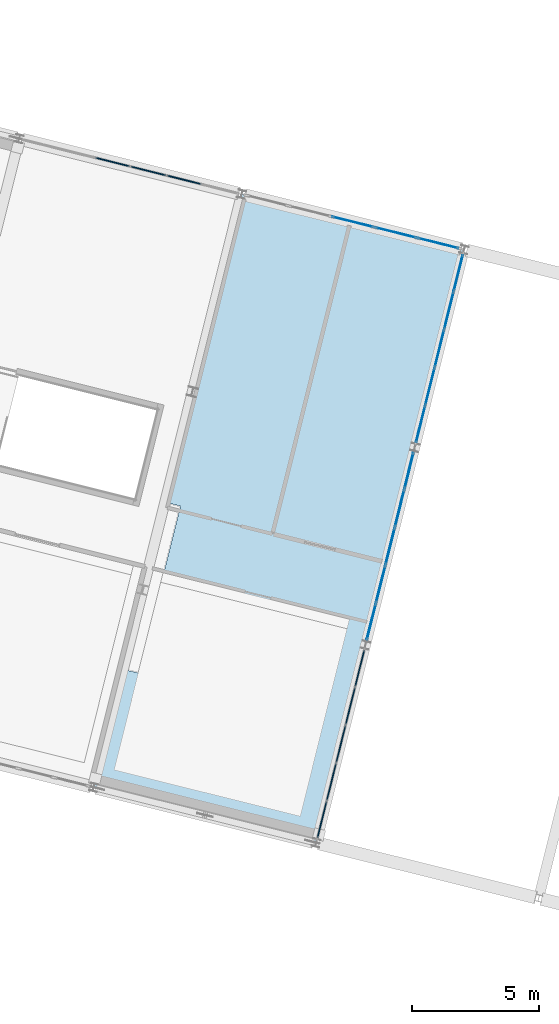
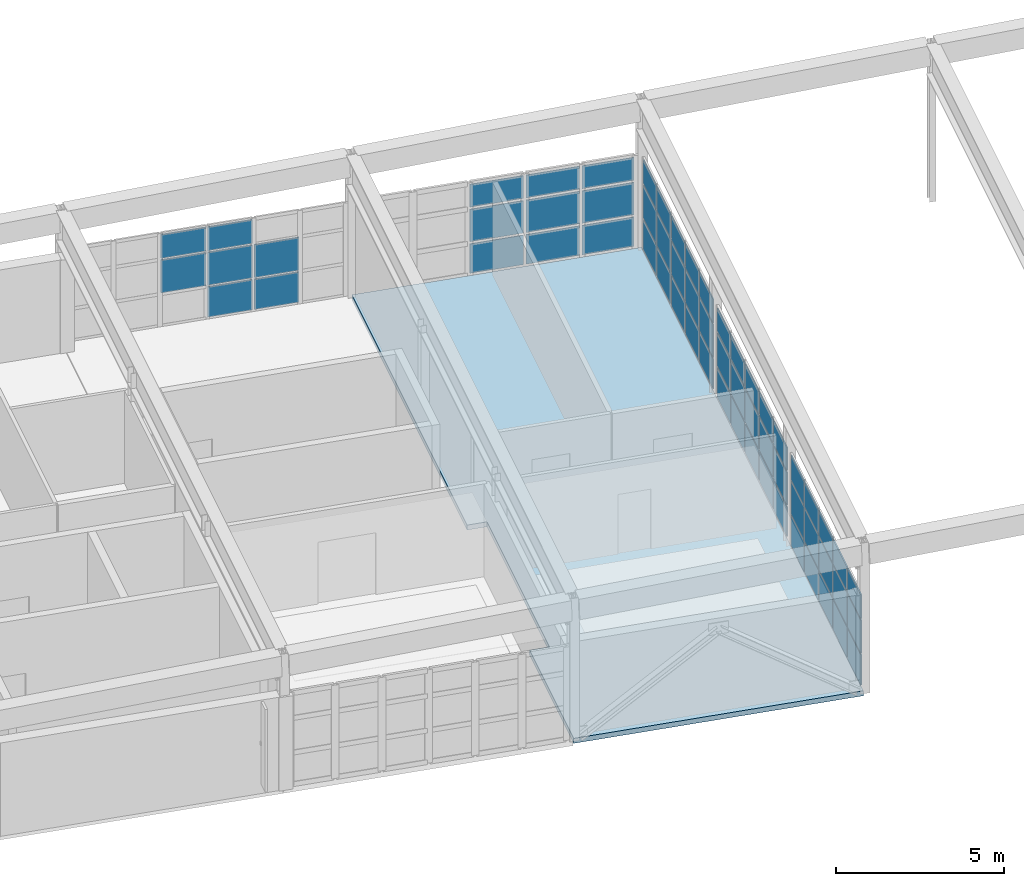
# One storey, part 20 of 27: 61 plates, 1 slab, 5 elements without a shape of their own.
"""IFC4 building model written with IfcOpenShell, lengths in metres."""

import ifcopenshell
import ifcopenshell.guid

model = None  # the IFC model being written
_history = None  # IfcOwnerHistory: only IFC2X3 demands one
_inside = {}  # id of a spatial element -> (the spatial element, [elements in it])
_under = {}  # id of a project, library or spatial element -> (it, [spatial elements below it])
_declared = {}  # id of a project -> (the project, [libraries it declares])
_typed = {}  # id of a type object -> (the type object, [elements of that type])
_made_of = {}  # id of a material, layer set ... -> (it, [elements and type objects made of it])


def new_model(schema):
    """Start an empty IFC model of exactly this schema.

    Asked for "IFC4X3", IfcOpenShell would pick the latest addendum, in which some entities
    have other attributes; the version numbers below select the first issue.
    IFC2X3 requires an IfcOwnerHistory on every rooted entity: one is made here for all.
    """
    global model, _history
    if schema == "IFC4X3":
        model = ifcopenshell.file(schema_version=(4, 3, 0, 0))
    else:
        model = ifcopenshell.file(schema=schema)
    _inside.clear()
    _under.clear()
    _declared.clear()
    _typed.clear()
    _made_of.clear()
    _history = None
    if model.schema == "IFC2X3":
        org = make("IfcOrganization", Name="unknown")
        user = make(
            "IfcPersonAndOrganization",
            ThePerson=make("IfcPerson", FamilyName="unknown"),
            TheOrganization=org,
        )
        app = make(
            "IfcApplication",
            ApplicationDeveloper=org,
            Version="unknown",
            ApplicationFullName="unknown",
            ApplicationIdentifier="unknown",
        )
        _history = make(
            "IfcOwnerHistory",
            OwningUser=user,
            OwningApplication=app,
            ChangeAction="ADDED",
            CreationDate=0,
        )
    return model


def make(cls, **values):
    """One entity of the class cls with the attributes given. An attribute that is None is left unset."""
    return model.create_entity(
        cls, **{name: value for name, value in values.items() if value is not None}
    )


def rooted(cls, **values):
    """An entity with a GlobalId (a new one), such as an element, a storey or a relation."""
    return make(cls, GlobalId=ifcopenshell.guid.new(), OwnerHistory=_history, **values)


def si_unit(unit_type, name, prefix=None):
    """IfcSIUnit, for example si_unit("LENGTHUNIT", "METRE", prefix="MILLI")."""
    return make("IfcSIUnit", UnitType=unit_type, Prefix=prefix, Name=name)


def assignment(units):
    """IfcUnitAssignment: the units of a project."""
    return None if units is None else make("IfcUnitAssignment", Units=units)


def point(xyz):
    """IfcCartesianPoint."""
    return None if xyz is None else make("IfcCartesianPoint", Coordinates=xyz)


def direction(xyz):
    """IfcDirection."""
    return None if xyz is None else make("IfcDirection", DirectionRatios=xyz)


def frame(location, z_axis=None, x_axis=None):
    """IfcAxis2Placement3D, a coordinate frame: its origin and axes. An axis left out is left unset."""
    return make(
        "IfcAxis2Placement3D",
        Location=point(location),
        Axis=direction(z_axis),
        RefDirection=direction(x_axis),
    )


def frame_2d(location, x_axis=None):
    """IfcAxis2Placement2D, a coordinate frame in the plane: its origin and x axis."""
    return make(
        "IfcAxis2Placement2D", Location=point(location), RefDirection=direction(x_axis)
    )


def origin():
    """The frame at (0, 0, 0) with its axes left unset."""
    return frame((0.0, 0.0, 0.0))


def origin_2d():
    """The frame at (0, 0) in the plane with its x axis left unset."""
    return frame_2d((0.0, 0.0))


def place(relative_to, where):
    """IfcLocalPlacement: puts the frame where relative to a parent placement (None: the world)."""
    return make(
        "IfcLocalPlacement", PlacementRelTo=relative_to, RelativePlacement=where
    )


def context(
    kind, dimensions, precision=None, world=None, true_north=None, identifier=None
):
    """IfcGeometricRepresentationContext, for example the 3D "Model" context."""
    return make(
        "IfcGeometricRepresentationContext",
        ContextIdentifier=identifier,
        ContextType=kind,
        CoordinateSpaceDimension=dimensions,
        Precision=precision,
        WorldCoordinateSystem=world,
        TrueNorth=true_north,
    )


def subcontext(parent, identifier, kind, view, scale=None):
    """IfcGeometricRepresentationSubContext, for example "Body" below "Model"."""
    return make(
        "IfcGeometricRepresentationSubContext",
        ContextIdentifier=identifier,
        ContextType=kind,
        ParentContext=parent,
        TargetScale=scale,
        TargetView=view,
    )


def project(units=None, contexts=None):
    """IfcProject with its units and contexts."""
    return rooted(
        "IfcProject",
        Name="project",
        RepresentationContexts=contexts,
        UnitsInContext=assignment(units),
    )


def spatial(cls, under=None, at=None, **own):
    """A site, building, storey or space (cls), placed at a placement, below another one or the project."""
    s = rooted(cls, ObjectPlacement=at, **own)
    if under is not None:
        _under.setdefault(under.id(), (under, []))[1].append(s)
    return s


def polyline(points):
    """IfcPolyline through the points."""
    return make("IfcPolyline", Points=[point(p) for p in points])


def profile(cls, at=None, kind="AREA", **sizes):
    """A parametric profile (cls). Its sizes go by their IFC names, for example OverallWidth=200.0."""
    return make(cls, ProfileType=kind, Position=at, **sizes)


def rectangle(**sizes):
    """IfcRectangleProfileDef."""
    return profile("IfcRectangleProfileDef", **sizes)


def outline(outer, holes=None, kind="AREA"):
    """IfcArbitraryClosedProfileDef: a profile drawn as a closed curve; with holes, ...WithVoids."""
    if holes is None:
        return make("IfcArbitraryClosedProfileDef", ProfileType=kind, OuterCurve=outer)
    return make(
        "IfcArbitraryProfileDefWithVoids",
        ProfileType=kind,
        OuterCurve=outer,
        InnerCurves=holes,
    )


def extrude(swept, where, along, depth):
    """IfcExtrudedAreaSolid: the profile swept, set in the frame where, extruded along a direction by depth."""
    return make(
        "IfcExtrudedAreaSolid",
        SweptArea=swept,
        Position=where,
        ExtrudedDirection=direction(along),
        Depth=depth,
    )


def shape(context_of_items, identifier, shape_type, items):
    """IfcShapeRepresentation: the items that make up one representation, for example the "Body"."""
    return make(
        "IfcShapeRepresentation",
        ContextOfItems=context_of_items,
        RepresentationIdentifier=identifier,
        RepresentationType=shape_type,
        Items=items,
    )


def material(Name=None, Category=None):
    """IfcMaterial."""
    return make("IfcMaterial", Name=Name, Category=Category)


def layer(
    of_material, thickness, ventilated=None, Name=None, Category=None, Priority=None
):
    """IfcMaterialLayer: one layer of a wall or slab, of a material (None: an air gap)."""
    return make(
        "IfcMaterialLayer",
        Material=of_material,
        LayerThickness=thickness,
        IsVentilated=ventilated,
        Name=Name,
        Category=Category,
        Priority=Priority,
    )


def layer_set(layers, Name=None):
    """IfcMaterialLayerSet."""
    return make("IfcMaterialLayerSet", MaterialLayers=layers, LayerSetName=Name)


def made_of(thing, what):
    """Note that an element or type object is made of a material, layer set ...; save() writes the relation."""
    if what is not None:
        _made_of.setdefault(what.id(), (what, []))[1].append(thing)
    return thing


def type_object(cls, material=None, **own):
    """A type object (cls), such as IfcWallType, which elements share."""
    return made_of(rooted(cls, **own), material)


def element(
    cls,
    number,
    at=None,
    inside=None,
    cuts=None,
    type_object=None,
    material=None,
    context=None,
    identifier="Body",
    shape_type=None,
    held_by="IfcProductDefinitionShape",
    body=None,
    shapes=None,
    **own,
):
    """One element of the class cls, such as IfcWall. Its Tag is "e" and its number.

    at: its placement. inside: the storey or other place that contains it. cuts: it is an
    opening in that element (IfcRelVoidsElement). A single representation is given by context,
    identifier, shape_type and body (its items); several are given by shapes. held_by: the class
    of the entity that holds the representations. save() writes the other relations.
    """
    e = rooted(cls, Tag="e%d" % number, ObjectPlacement=at, **own)
    if body is not None:
        shapes = [shape(context, identifier, shape_type, body)]
    if shapes is not None:
        e.Representation = make(held_by, Representations=shapes)
    if inside is not None:
        _inside.setdefault(inside.id(), (inside, []))[1].append(e)
    if cuts is not None:
        rooted(
            "IfcRelVoidsElement", RelatingBuildingElement=cuts, RelatedOpeningElement=e
        )
    if type_object is not None:
        _typed.setdefault(type_object.id(), (type_object, []))[1].append(e)
    return made_of(e, material)


def aggregate(whole, parts):
    """IfcRelAggregates: a whole, such as a stair, and the parts it consists of."""
    return rooted("IfcRelAggregates", RelatingObject=whole, RelatedObjects=parts)


def save(model, path):
    """Write the relations noted so far, then the file.

    IfcRelAggregates (storeys below a building ...), IfcRelContainedInSpatialStructure (elements
    in a storey), IfcRelDefinesByType, IfcRelAssociatesMaterial and IfcRelDeclares: one each for
    every whole, place, type object, material and project.
    """
    for whole, parts in _under.values():
        aggregate(whole, parts)
    for where, things in _inside.values():
        rooted(
            "IfcRelContainedInSpatialStructure",
            RelatedElements=things,
            RelatingStructure=where,
        )
    for kind, things in _typed.values():
        rooted("IfcRelDefinesByType", RelatedObjects=things, RelatingType=kind)
    for what, things in _made_of.values():
        rooted("IfcRelAssociatesMaterial", RelatedObjects=things, RelatingMaterial=what)
    for by, libraries in _declared.values():
        rooted("IfcRelDeclares", RelatingContext=by, RelatedDefinitions=libraries)
    model.write(path)


model = new_model("IFC4")

# Units and contexts
model_context = context("Model", 3, precision=1e-05, world=origin(), true_north=direction((0.0, 1.0)))
body_context = subcontext(model_context, "Body", "Model", "MODEL_VIEW")
ifc_project = project(units=[si_unit("LENGTHUNIT", "METRE"), si_unit("AREAUNIT", "SQUARE_METRE"), si_unit("VOLUMEUNIT", "CUBIC_METRE"), si_unit("PLANEANGLEUNIT", "RADIAN"), si_unit("MASSUNIT", "GRAM", prefix="KILO")], contexts=[model_context])

# Site, building, storey
site_placement = place(None, origin())
site = spatial("IfcSite", under=ifc_project, at=site_placement, CompositionType="ELEMENT")
building_placement = place(site_placement, origin())
building = spatial("IfcBuilding", under=site, at=building_placement, Name="Vireo Bluff Cable Station", CompositionType="ELEMENT")
storey_placement = place(building_placement, frame((0.0, 0.0, 19.199951171875)))
storey = spatial("IfcBuildingStorey", under=building, at=storey_placement, Name="L04", CompositionType="ELEMENT", Elevation=19.199951171875)

# Curtain wall, plates
ifc_material_1 = material(Name="Anodized Aluminium 6063-T6", Category="aluminium")
ifc_layer_1 = layer(ifc_material_1, 0.179931640625, Name="Anodized Aluminium 6063-T6")
ifc_layer_set_1 = layer_set([ifc_layer_1], Name="Anodized Aluminium 6063-T6")
curtain_wall_type_1 = type_object("IfcCurtainWallType", Name="CW-UNIT-1650", PredefinedType="USERDEFINED", material=ifc_layer_set_1)
curtain_wall_1_placement = place(storey_placement, origin())
curtain_wall_1 = element("IfcCurtainWall", 1, at=curtain_wall_1_placement, inside=storey, type_object=curtain_wall_type_1, Name="V1 L04 north curtain wall CW-035", ObjectType="UNITISED CURTAIN WALL", PredefinedType="USERDEFINED")
ifc_material_2 = material(Name="Laminated Low-E Insulated Glass", Category="glass")
ifc_layer_2 = layer(ifc_material_2, 0.028076171875, Name="Laminated Low-E Insulated Glass")
ifc_layer_set_2 = layer_set([ifc_layer_2], Name="Laminated Low-E Insulated Glass")
plate_type_1 = type_object("IfcPlateType", Name="CWP-28-1", PredefinedType="CURTAIN_PANEL", material=ifc_layer_set_2)
plate_1_placement = place(storey_placement, frame((81.6376953125, 55.84375, 0.080078125), z_axis=(0.0, 0.0, 1.0), x_axis=(0.970295730477, -0.241921878749, 0.0)))
plate_1 = element("IfcPlate", 2, at=plate_1_placement, type_object=plate_type_1, Name="CW-035 panel 3.1", PredefinedType="CURTAIN_PANEL", context=body_context, shape_type="SweptSolid", body=[
    extrude(rectangle(XDim=1.658203125, YDim=0.028076171875, at=origin_2d()), origin(), (0.0, 0.0, 1.0), 1.070068359375),
])
plate_2_placement = place(storey_placement, frame((81.6376953125, 55.84375, 1.22998046875), z_axis=(0.0, 0.0, 1.0), x_axis=(0.970295730477, -0.241921878749, 0.0)))
plate_2 = element("IfcPlate", 3, at=plate_2_placement, type_object=plate_type_1, Name="CW-035 panel 3.2", PredefinedType="CURTAIN_PANEL", context=body_context, shape_type="SweptSolid", body=[
    extrude(rectangle(XDim=1.658203125, YDim=0.028076171875, at=origin_2d()), origin(), (0.0, 0.0, 1.0), 1.177978515625),
])
plate_3_placement = place(storey_placement, frame((81.6376953125, 55.84375, 2.488037109375), z_axis=(0.0, 0.0, 1.0), x_axis=(0.970295730477, -0.241921878749, 0.0)))
plate_3 = element("IfcPlate", 4, at=plate_3_placement, type_object=plate_type_1, Name="CW-035 panel 3.3", PredefinedType="CURTAIN_PANEL", context=body_context, shape_type="SweptSolid", body=[
    extrude(rectangle(XDim=1.658203125, YDim=0.028076171875, at=origin_2d()), origin(), (0.0, 0.0, 1.0), 0.83203125),
])
plate_4_placement = place(storey_placement, frame((83.324462890625, 55.42333984375, 0.080078125), z_axis=(0.0, 0.0, 1.0), x_axis=(0.970295730477, -0.241921878749, 0.0)))
plate_4 = element("IfcPlate", 5, at=plate_4_placement, type_object=plate_type_1, Name="CW-035 panel 4.1", PredefinedType="CURTAIN_PANEL", context=body_context, shape_type="SweptSolid", body=[
    extrude(rectangle(XDim=1.658203125, YDim=0.028076171875, at=origin_2d()), origin(), (0.0, 0.0, 1.0), 1.070068359375),
])
plate_5_placement = place(storey_placement, frame((83.324462890625, 55.42333984375, 1.22998046875), z_axis=(0.0, 0.0, 1.0), x_axis=(0.970295730477, -0.241921878749, 0.0)))
plate_5 = element("IfcPlate", 6, at=plate_5_placement, type_object=plate_type_1, Name="CW-035 panel 4.2", PredefinedType="CURTAIN_PANEL", context=body_context, shape_type="SweptSolid", body=[
    extrude(rectangle(XDim=1.658203125, YDim=0.028076171875, at=origin_2d()), origin(), (0.0, 0.0, 1.0), 1.177978515625),
])
plate_6_placement = place(storey_placement, frame((83.324462890625, 55.42333984375, 2.488037109375), z_axis=(0.0, 0.0, 1.0), x_axis=(0.970295730477, -0.241921878749, 0.0)))
plate_6 = element("IfcPlate", 7, at=plate_6_placement, type_object=plate_type_1, Name="CW-035 panel 4.3", PredefinedType="CURTAIN_PANEL", context=body_context, shape_type="SweptSolid", body=[
    extrude(rectangle(XDim=1.658203125, YDim=0.028076171875, at=origin_2d()), origin(), (0.0, 0.0, 1.0), 0.83203125),
])
plate_7_placement = place(storey_placement, frame((84.991455078125, 55.007568359375, 0.080078125), z_axis=(0.0, 0.0, 1.0), x_axis=(0.970295730477, -0.241921878749, 0.0)))
plate_7 = element("IfcPlate", 8, at=plate_7_placement, type_object=plate_type_1, Name="CW-035 panel 5.1", PredefinedType="CURTAIN_PANEL", context=body_context, shape_type="SweptSolid", body=[
    extrude(rectangle(XDim=1.6181640625, YDim=0.028076171875, at=origin_2d()), origin(), (0.0, 0.0, 1.0), 1.070068359375),
])
plate_8_placement = place(storey_placement, frame((84.991455078125, 55.007568359375, 1.22998046875), z_axis=(0.0, 0.0, 1.0), x_axis=(0.970295730477, -0.241921878749, 0.0)))
plate_8 = element("IfcPlate", 9, at=plate_8_placement, type_object=plate_type_1, Name="CW-035 panel 5.2", PredefinedType="CURTAIN_PANEL", context=body_context, shape_type="SweptSolid", body=[
    extrude(rectangle(XDim=1.6181640625, YDim=0.028076171875, at=origin_2d()), origin(), (0.0, 0.0, 1.0), 1.177978515625),
])
plate_9_placement = place(storey_placement, frame((84.991455078125, 55.007568359375, 2.488037109375), z_axis=(0.0, 0.0, 1.0), x_axis=(0.970295730477, -0.241921878749, 0.0)))
plate_9 = element("IfcPlate", 10, at=plate_9_placement, type_object=plate_type_1, Name="CW-035 panel 5.3", PredefinedType="CURTAIN_PANEL", context=body_context, shape_type="SweptSolid", body=[
    extrude(rectangle(XDim=1.6181640625, YDim=0.028076171875, at=origin_2d()), origin(), (0.0, 0.0, 1.0), 0.83203125),
])
aggregate(curtain_wall_1, [plate_1, plate_2, plate_3, plate_4, plate_5, plate_6, plate_7, plate_8, plate_9])

ifc_layer_3 = layer(ifc_material_1, 0.179931640625, Name="Anodized Aluminium 6063-T6")
ifc_layer_set_3 = layer_set([ifc_layer_3], Name="Anodized Aluminium 6063-T6")
curtain_wall_type_2 = type_object("IfcCurtainWallType", Name="CW-UNIT-1400", PredefinedType="USERDEFINED", material=ifc_layer_set_3)
curtain_wall_2_placement = place(storey_placement, origin())
curtain_wall_2 = element("IfcCurtainWall", 11, at=curtain_wall_2_placement, inside=storey, type_object=curtain_wall_type_2, Name="V1 L04 east curtain wall CW-036", ObjectType="UNITISED CURTAIN WALL", PredefinedType="USERDEFINED")
ifc_layer_4 = layer(ifc_material_2, 0.031982421875, Name="Laminated Low-E Insulated Glass")
ifc_layer_set_4 = layer_set([ifc_layer_4], Name="Laminated Low-E Insulated Glass")
plate_type_2 = type_object("IfcPlateType", Name="CWP-32-2", PredefinedType="CURTAIN_PANEL", material=ifc_layer_set_4)
plate_10_placement = place(storey_placement, frame((85.776611328125, 53.842529296875, 0.06494140625), z_axis=(0.0, 0.0, 1.0), x_axis=(-0.241921834956, -0.970295741396, 0.0)))
plate_10 = element("IfcPlate", 12, at=plate_10_placement, type_object=plate_type_2, Name="CW-036 panel 1.1", PredefinedType="CURTAIN_PANEL", context=body_context, shape_type="SweptSolid", body=[
    extrude(rectangle(XDim=1.440185546875, YDim=0.031982421875, at=origin_2d()), origin(), (0.0, 0.0, 1.0), 1.092529296875),
])
plate_11_placement = place(storey_placement, frame((85.776611328125, 53.842529296875, 1.22265625), z_axis=(0.0, 0.0, 1.0), x_axis=(-0.241921834956, -0.970295741396, 0.0)))
plate_11 = element("IfcPlate", 13, at=plate_11_placement, type_object=plate_type_2, Name="CW-036 panel 1.2", PredefinedType="CURTAIN_PANEL", context=body_context, shape_type="SweptSolid", body=[
    extrude(rectangle(XDim=1.440185546875, YDim=0.031982421875, at=origin_2d()), origin(), (0.0, 0.0, 1.0), 1.193115234375),
])
plate_12_placement = place(storey_placement, frame((85.776611328125, 53.842529296875, 2.48046875), z_axis=(0.0, 0.0, 1.0), x_axis=(-0.241921834956, -0.970295741396, 0.0)))
plate_12 = element("IfcPlate", 14, at=plate_12_placement, type_object=plate_type_2, Name="CW-036 panel 1.3", PredefinedType="CURTAIN_PANEL", context=body_context, shape_type="SweptSolid", body=[
    extrude(rectangle(XDim=1.440185546875, YDim=0.031982421875, at=origin_2d()), origin(), (0.0, 0.0, 1.0), 0.8544921875),
])
plate_13_placement = place(storey_placement, frame((85.408447265625, 52.3662109375, 0.06494140625), z_axis=(0.0, 0.0, 1.0), x_axis=(-0.241921834956, -0.970295741396, 0.0)))
plate_13 = element("IfcPlate", 15, at=plate_13_placement, type_object=plate_type_2, Name="CW-036 panel 2.1", PredefinedType="CURTAIN_PANEL", context=body_context, shape_type="SweptSolid", body=[
    extrude(rectangle(XDim=1.472900390625, YDim=0.031982421875, at=origin_2d()), origin(), (0.0, 0.0, 1.0), 1.092529296875),
])
plate_14_placement = place(storey_placement, frame((85.408447265625, 52.3662109375, 1.22265625), z_axis=(0.0, 0.0, 1.0), x_axis=(-0.241921834956, -0.970295741396, 0.0)))
plate_14 = element("IfcPlate", 16, at=plate_14_placement, type_object=plate_type_2, Name="CW-036 panel 2.2", PredefinedType="CURTAIN_PANEL", context=body_context, shape_type="SweptSolid", body=[
    extrude(rectangle(XDim=1.472900390625, YDim=0.031982421875, at=origin_2d()), origin(), (0.0, 0.0, 1.0), 1.193115234375),
])
plate_15_placement = place(storey_placement, frame((85.408447265625, 52.3662109375, 2.48046875), z_axis=(0.0, 0.0, 1.0), x_axis=(-0.241921834956, -0.970295741396, 0.0)))
plate_15 = element("IfcPlate", 17, at=plate_15_placement, type_object=plate_type_2, Name="CW-036 panel 2.3", PredefinedType="CURTAIN_PANEL", context=body_context, shape_type="SweptSolid", body=[
    extrude(rectangle(XDim=1.472900390625, YDim=0.031982421875, at=origin_2d()), origin(), (0.0, 0.0, 1.0), 0.8544921875),
])
plate_16_placement = place(storey_placement, frame((85.036376953125, 50.8740234375, 0.06494140625), z_axis=(0.0, 0.0, 1.0), x_axis=(-0.241921834956, -0.970295741396, 0.0)))
plate_16 = element("IfcPlate", 18, at=plate_16_placement, type_object=plate_type_2, Name="CW-036 panel 3.1", PredefinedType="CURTAIN_PANEL", context=body_context, shape_type="SweptSolid", body=[
    extrude(rectangle(XDim=1.472900390625, YDim=0.031982421875, at=origin_2d()), origin(), (0.0, 0.0, 1.0), 1.092529296875),
])
plate_17_placement = place(storey_placement, frame((85.036376953125, 50.8740234375, 1.22265625), z_axis=(0.0, 0.0, 1.0), x_axis=(-0.241921834956, -0.970295741396, 0.0)))
plate_17 = element("IfcPlate", 19, at=plate_17_placement, type_object=plate_type_2, Name="CW-036 panel 3.2", PredefinedType="CURTAIN_PANEL", context=body_context, shape_type="SweptSolid", body=[
    extrude(rectangle(XDim=1.472900390625, YDim=0.031982421875, at=origin_2d()), origin(), (0.0, 0.0, 1.0), 1.193115234375),
])
plate_18_placement = place(storey_placement, frame((85.036376953125, 50.8740234375, 2.48046875), z_axis=(0.0, 0.0, 1.0), x_axis=(-0.241921834956, -0.970295741396, 0.0)))
plate_18 = element("IfcPlate", 20, at=plate_18_placement, type_object=plate_type_2, Name="CW-036 panel 3.3", PredefinedType="CURTAIN_PANEL", context=body_context, shape_type="SweptSolid", body=[
    extrude(rectangle(XDim=1.472900390625, YDim=0.031982421875, at=origin_2d()), origin(), (0.0, 0.0, 1.0), 0.8544921875),
])
plate_19_placement = place(storey_placement, frame((84.664306640625, 49.3818359375, 0.06494140625), z_axis=(0.0, 0.0, 1.0), x_axis=(-0.241921834956, -0.970295741396, 0.0)))
plate_19 = element("IfcPlate", 21, at=plate_19_placement, type_object=plate_type_2, Name="CW-036 panel 4.1", PredefinedType="CURTAIN_PANEL", context=body_context, shape_type="SweptSolid", body=[
    extrude(rectangle(XDim=1.472900390625, YDim=0.031982421875, at=origin_2d()), origin(), (0.0, 0.0, 1.0), 1.092529296875),
])
plate_20_placement = place(storey_placement, frame((84.664306640625, 49.3818359375, 1.22265625), z_axis=(0.0, 0.0, 1.0), x_axis=(-0.241921834956, -0.970295741396, 0.0)))
plate_20 = element("IfcPlate", 22, at=plate_20_placement, type_object=plate_type_2, Name="CW-036 panel 4.2", PredefinedType="CURTAIN_PANEL", context=body_context, shape_type="SweptSolid", body=[
    extrude(rectangle(XDim=1.472900390625, YDim=0.031982421875, at=origin_2d()), origin(), (0.0, 0.0, 1.0), 1.193115234375),
])
plate_21_placement = place(storey_placement, frame((84.664306640625, 49.3818359375, 2.48046875), z_axis=(0.0, 0.0, 1.0), x_axis=(-0.241921834956, -0.970295741396, 0.0)))
plate_21 = element("IfcPlate", 23, at=plate_21_placement, type_object=plate_type_2, Name="CW-036 panel 4.3", PredefinedType="CURTAIN_PANEL", context=body_context, shape_type="SweptSolid", body=[
    extrude(rectangle(XDim=1.472900390625, YDim=0.031982421875, at=origin_2d()), origin(), (0.0, 0.0, 1.0), 0.8544921875),
])
plate_22_placement = place(storey_placement, frame((84.29638671875, 47.905517578125, 0.06494140625), z_axis=(0.0, 0.0, 1.0), x_axis=(-0.241921834956, -0.970295741396, 0.0)))
plate_22 = element("IfcPlate", 24, at=plate_22_placement, type_object=plate_type_2, Name="CW-036 panel 5.1", PredefinedType="CURTAIN_PANEL", context=body_context, shape_type="SweptSolid", body=[
    extrude(rectangle(XDim=1.440185546875, YDim=0.031982421875, at=origin_2d()), origin(), (0.0, 0.0, 1.0), 1.092529296875),
])
plate_23_placement = place(storey_placement, frame((84.29638671875, 47.905517578125, 1.22265625), z_axis=(0.0, 0.0, 1.0), x_axis=(-0.241921834956, -0.970295741396, 0.0)))
plate_23 = element("IfcPlate", 25, at=plate_23_placement, type_object=plate_type_2, Name="CW-036 panel 5.2", PredefinedType="CURTAIN_PANEL", context=body_context, shape_type="SweptSolid", body=[
    extrude(rectangle(XDim=1.440185546875, YDim=0.031982421875, at=origin_2d()), origin(), (0.0, 0.0, 1.0), 1.193115234375),
])
plate_24_placement = place(storey_placement, frame((84.29638671875, 47.905517578125, 2.48046875), z_axis=(0.0, 0.0, 1.0), x_axis=(-0.241921834956, -0.970295741396, 0.0)))
plate_24 = element("IfcPlate", 26, at=plate_24_placement, type_object=plate_type_2, Name="CW-036 panel 5.3", PredefinedType="CURTAIN_PANEL", context=body_context, shape_type="SweptSolid", body=[
    extrude(rectangle(XDim=1.440185546875, YDim=0.031982421875, at=origin_2d()), origin(), (0.0, 0.0, 1.0), 0.8544921875),
])
aggregate(curtain_wall_2, [plate_10, plate_11, plate_12, plate_13, plate_14, plate_15, plate_16, plate_17, plate_18, plate_19, plate_20, plate_21, plate_22, plate_23, plate_24])

ifc_layer_5 = layer(ifc_material_1, 0.179931640625, Name="Anodized Aluminium 6063-T6")
ifc_layer_set_5 = layer_set([ifc_layer_5], Name="Anodized Aluminium 6063-T6")
curtain_wall_type_3 = type_object("IfcCurtainWallType", Name="CW-UNIT-1500", PredefinedType="USERDEFINED", material=ifc_layer_set_5)
curtain_wall_3_placement = place(storey_placement, origin())
curtain_wall_3 = element("IfcCurtainWall", 27, at=curtain_wall_3_placement, inside=storey, type_object=curtain_wall_type_3, Name="V1 L04 east curtain wall CW-037", ObjectType="UNITISED CURTAIN WALL", PredefinedType="USERDEFINED")
ifc_layer_6 = layer(ifc_material_2, 0.035888671875, Name="Laminated Low-E Insulated Glass")
ifc_layer_set_6 = layer_set([ifc_layer_6], Name="Laminated Low-E Insulated Glass")
plate_type_3 = type_object("IfcPlateType", Name="CWP-36-3", PredefinedType="CURTAIN_PANEL", material=ifc_layer_set_6)
plate_25_placement = place(storey_placement, frame((83.840576171875, 46.07763671875, 0.0751953125), z_axis=(0.0, 0.0, 1.0), x_axis=(-0.241921865473, -0.970295733788, 0.0)))
plate_25 = element("IfcPlate", 28, at=plate_25_placement, type_object=plate_type_3, Name="CW-037 panel 1.1", PredefinedType="CURTAIN_PANEL", context=body_context, shape_type="SweptSolid", body=[
    extrude(rectangle(XDim=1.42529296875, YDim=0.035888671875, at=origin_2d()), origin(), (0.0, 0.0, 1.0), 1.077392578125),
])
plate_26_placement = place(storey_placement, frame((83.840576171875, 46.07763671875, 1.2275390625), z_axis=(0.0, 0.0, 1.0), x_axis=(-0.241921865473, -0.970295733788, 0.0)))
plate_26 = element("IfcPlate", 29, at=plate_26_placement, type_object=plate_type_3, Name="CW-037 panel 1.2", PredefinedType="CURTAIN_PANEL", context=body_context, shape_type="SweptSolid", body=[
    extrude(rectangle(XDim=1.42529296875, YDim=0.035888671875, at=origin_2d()), origin(), (0.0, 0.0, 1.0), 1.18310546875),
])
plate_27_placement = place(storey_placement, frame((83.840576171875, 46.07763671875, 2.4853515625), z_axis=(0.0, 0.0, 1.0), x_axis=(-0.241921865473, -0.970295733788, 0.0)))
plate_27 = element("IfcPlate", 30, at=plate_27_placement, type_object=plate_type_3, Name="CW-037 panel 1.3", PredefinedType="CURTAIN_PANEL", context=body_context, shape_type="SweptSolid", body=[
    extrude(rectangle(XDim=1.42529296875, YDim=0.035888671875, at=origin_2d()), origin(), (0.0, 0.0, 1.0), 0.839599609375),
])
plate_28_placement = place(storey_placement, frame((83.47314453125, 44.603759765625, 0.0751953125), z_axis=(0.0, 0.0, 1.0), x_axis=(-0.241921865473, -0.970295733788, 0.0)))
plate_28 = element("IfcPlate", 31, at=plate_28_placement, type_object=plate_type_3, Name="CW-037 panel 2.1", PredefinedType="CURTAIN_PANEL", context=body_context, shape_type="SweptSolid", body=[
    extrude(rectangle(XDim=1.462890625, YDim=0.035888671875, at=origin_2d()), origin(), (0.0, 0.0, 1.0), 1.077392578125),
])
plate_29_placement = place(storey_placement, frame((83.47314453125, 44.603759765625, 1.2275390625), z_axis=(0.0, 0.0, 1.0), x_axis=(-0.241921865473, -0.970295733788, 0.0)))
plate_29 = element("IfcPlate", 32, at=plate_29_placement, type_object=plate_type_3, Name="CW-037 panel 2.2", PredefinedType="CURTAIN_PANEL", context=body_context, shape_type="SweptSolid", body=[
    extrude(rectangle(XDim=1.462890625, YDim=0.035888671875, at=origin_2d()), origin(), (0.0, 0.0, 1.0), 1.18310546875),
])
plate_30_placement = place(storey_placement, frame((83.47314453125, 44.603759765625, 2.4853515625), z_axis=(0.0, 0.0, 1.0), x_axis=(-0.241921865473, -0.970295733788, 0.0)))
plate_30 = element("IfcPlate", 33, at=plate_30_placement, type_object=plate_type_3, Name="CW-037 panel 2.3", PredefinedType="CURTAIN_PANEL", context=body_context, shape_type="SweptSolid", body=[
    extrude(rectangle(XDim=1.462890625, YDim=0.035888671875, at=origin_2d()), origin(), (0.0, 0.0, 1.0), 0.839599609375),
])
plate_31_placement = place(storey_placement, frame((83.10107421875, 43.111572265625, 0.0751953125), z_axis=(0.0, 0.0, 1.0), x_axis=(-0.241921865473, -0.970295733788, 0.0)))
plate_31 = element("IfcPlate", 34, at=plate_31_placement, type_object=plate_type_3, Name="CW-037 panel 3.1", PredefinedType="CURTAIN_PANEL", context=body_context, shape_type="SweptSolid", body=[
    extrude(rectangle(XDim=1.462890625, YDim=0.035888671875, at=origin_2d()), origin(), (0.0, 0.0, 1.0), 1.077392578125),
])
plate_32_placement = place(storey_placement, frame((83.10107421875, 43.111572265625, 1.2275390625), z_axis=(0.0, 0.0, 1.0), x_axis=(-0.241921865473, -0.970295733788, 0.0)))
plate_32 = element("IfcPlate", 35, at=plate_32_placement, type_object=plate_type_3, Name="CW-037 panel 3.2", PredefinedType="CURTAIN_PANEL", context=body_context, shape_type="SweptSolid", body=[
    extrude(rectangle(XDim=1.462890625, YDim=0.035888671875, at=origin_2d()), origin(), (0.0, 0.0, 1.0), 1.18310546875),
])
plate_33_placement = place(storey_placement, frame((83.10107421875, 43.111572265625, 2.4853515625), z_axis=(0.0, 0.0, 1.0), x_axis=(-0.241921865473, -0.970295733788, 0.0)))
plate_33 = element("IfcPlate", 36, at=plate_33_placement, type_object=plate_type_3, Name="CW-037 panel 3.3", PredefinedType="CURTAIN_PANEL", context=body_context, shape_type="SweptSolid", body=[
    extrude(rectangle(XDim=1.462890625, YDim=0.035888671875, at=origin_2d()), origin(), (0.0, 0.0, 1.0), 0.839599609375),
])
plate_34_placement = place(storey_placement, frame((82.72900390625, 41.61962890625, 0.0751953125), z_axis=(0.0, 0.0, 1.0), x_axis=(-0.241921865473, -0.970295733788, 0.0)))
plate_34 = element("IfcPlate", 37, at=plate_34_placement, type_object=plate_type_3, Name="CW-037 panel 4.1", PredefinedType="CURTAIN_PANEL", context=body_context, shape_type="SweptSolid", body=[
    extrude(rectangle(XDim=1.462890625, YDim=0.035888671875, at=origin_2d()), origin(), (0.0, 0.0, 1.0), 1.077392578125),
])
plate_35_placement = place(storey_placement, frame((82.72900390625, 41.61962890625, 1.2275390625), z_axis=(0.0, 0.0, 1.0), x_axis=(-0.241921865473, -0.970295733788, 0.0)))
plate_35 = element("IfcPlate", 38, at=plate_35_placement, type_object=plate_type_3, Name="CW-037 panel 4.2", PredefinedType="CURTAIN_PANEL", context=body_context, shape_type="SweptSolid", body=[
    extrude(rectangle(XDim=1.462890625, YDim=0.035888671875, at=origin_2d()), origin(), (0.0, 0.0, 1.0), 1.18310546875),
])
plate_36_placement = place(storey_placement, frame((82.72900390625, 41.61962890625, 2.4853515625), z_axis=(0.0, 0.0, 1.0), x_axis=(-0.241921865473, -0.970295733788, 0.0)))
plate_36 = element("IfcPlate", 39, at=plate_36_placement, type_object=plate_type_3, Name="CW-037 panel 4.3", PredefinedType="CURTAIN_PANEL", context=body_context, shape_type="SweptSolid", body=[
    extrude(rectangle(XDim=1.462890625, YDim=0.035888671875, at=origin_2d()), origin(), (0.0, 0.0, 1.0), 0.839599609375),
])
plate_37_placement = place(storey_placement, frame((82.361572265625, 40.1455078125, 0.0751953125), z_axis=(0.0, 0.0, 1.0), x_axis=(-0.241921865473, -0.970295733788, 0.0)))
plate_37 = element("IfcPlate", 40, at=plate_37_placement, type_object=plate_type_3, Name="CW-037 panel 5.1", PredefinedType="CURTAIN_PANEL", context=body_context, shape_type="SweptSolid", body=[
    extrude(rectangle(XDim=1.42529296875, YDim=0.035888671875, at=origin_2d()), origin(), (0.0, 0.0, 1.0), 1.077392578125),
])
plate_38_placement = place(storey_placement, frame((82.361572265625, 40.1455078125, 1.2275390625), z_axis=(0.0, 0.0, 1.0), x_axis=(-0.241921865473, -0.970295733788, 0.0)))
plate_38 = element("IfcPlate", 41, at=plate_38_placement, type_object=plate_type_3, Name="CW-037 panel 5.2", PredefinedType="CURTAIN_PANEL", context=body_context, shape_type="SweptSolid", body=[
    extrude(rectangle(XDim=1.42529296875, YDim=0.035888671875, at=origin_2d()), origin(), (0.0, 0.0, 1.0), 1.18310546875),
])
plate_39_placement = place(storey_placement, frame((82.361572265625, 40.1455078125, 2.4853515625), z_axis=(0.0, 0.0, 1.0), x_axis=(-0.241921865473, -0.970295733788, 0.0)))
plate_39 = element("IfcPlate", 42, at=plate_39_placement, type_object=plate_type_3, Name="CW-037 panel 5.3", PredefinedType="CURTAIN_PANEL", context=body_context, shape_type="SweptSolid", body=[
    extrude(rectangle(XDim=1.42529296875, YDim=0.035888671875, at=origin_2d()), origin(), (0.0, 0.0, 1.0), 0.839599609375),
])
aggregate(curtain_wall_3, [plate_25, plate_26, plate_27, plate_28, plate_29, plate_30, plate_31, plate_32, plate_33, plate_34, plate_35, plate_36, plate_37, plate_38, plate_39])

curtain_wall_4_placement = place(storey_placement, origin())
curtain_wall_4 = element("IfcCurtainWall", 43, at=curtain_wall_4_placement, inside=storey, type_object=curtain_wall_type_1, Name="V1 L04 east curtain wall CW-038", ObjectType="UNITISED CURTAIN WALL", PredefinedType="USERDEFINED")
ifc_material_3 = material(Name="Insulated Spandrel Glass Panel", Category="glass")
ifc_layer_7 = layer(ifc_material_3, 0.0419921875, Name="Insulated Spandrel Glass Panel")
ifc_layer_set_7 = layer_set([ifc_layer_7], Name="Insulated Spandrel Glass Panel")
plate_type_4 = type_object("IfcPlateType", Name="CWP-42-4", PredefinedType="CURTAIN_PANEL", material=ifc_layer_set_7)
plate_40_placement = place(storey_placement, frame((81.906005859375, 38.319091796875, 0.06005859375), z_axis=(0.0, 0.0, 1.0), x_axis=(-0.241921957395, -0.970295710869, 0.0)))
plate_40 = element("IfcPlate", 44, at=plate_40_placement, type_object=plate_type_4, Name="CW-038 panel 1.1", PredefinedType="CURTAIN_PANEL", context=body_context, shape_type="SweptSolid", body=[
    extrude(rectangle(XDim=1.44775390625, YDim=0.0419921875, at=origin_2d()), origin(), (0.0, 0.0, 1.0), 1.10009765625),
])
plate_41_placement = place(storey_placement, frame((81.906005859375, 38.319091796875, 1.22021484375), z_axis=(0.0, 0.0, 1.0), x_axis=(-0.241921957395, -0.970295710869, 0.0)))
plate_41 = element("IfcPlate", 45, at=plate_41_placement, type_object=plate_type_4, Name="CW-038 panel 1.2", PredefinedType="CURTAIN_PANEL", context=body_context, shape_type="SweptSolid", body=[
    extrude(rectangle(XDim=1.44775390625, YDim=0.0419921875, at=origin_2d()), origin(), (0.0, 0.0, 1.0), 1.197998046875),
])
plate_42_placement = place(storey_placement, frame((81.906005859375, 38.319091796875, 2.47802734375), z_axis=(0.0, 0.0, 1.0), x_axis=(-0.241921957395, -0.970295710869, 0.0)))
plate_42 = element("IfcPlate", 46, at=plate_42_placement, type_object=plate_type_4, Name="CW-038 panel 1.3", PredefinedType="CURTAIN_PANEL", context=body_context, shape_type="SweptSolid", body=[
    extrude(rectangle(XDim=1.44775390625, YDim=0.0419921875, at=origin_2d()), origin(), (0.0, 0.0, 1.0), 0.862060546875),
])
plate_43_placement = place(storey_placement, frame((81.53759765625, 36.84130859375, 0.06005859375), z_axis=(0.0, 0.0, 1.0), x_axis=(-0.241921957395, -0.970295710869, 0.0)))
plate_43 = element("IfcPlate", 47, at=plate_43_placement, type_object=plate_type_4, Name="CW-038 panel 2.1", PredefinedType="CURTAIN_PANEL", context=body_context, shape_type="SweptSolid", body=[
    extrude(rectangle(XDim=1.477783203125, YDim=0.0419921875, at=origin_2d()), origin(), (0.0, 0.0, 1.0), 1.10009765625),
])
plate_44_placement = place(storey_placement, frame((81.53759765625, 36.84130859375, 1.22021484375), z_axis=(0.0, 0.0, 1.0), x_axis=(-0.241921957395, -0.970295710869, 0.0)))
plate_44 = element("IfcPlate", 48, at=plate_44_placement, type_object=plate_type_4, Name="CW-038 panel 2.2", PredefinedType="CURTAIN_PANEL", context=body_context, shape_type="SweptSolid", body=[
    extrude(rectangle(XDim=1.477783203125, YDim=0.0419921875, at=origin_2d()), origin(), (0.0, 0.0, 1.0), 1.197998046875),
])
plate_45_placement = place(storey_placement, frame((81.53759765625, 36.84130859375, 2.47802734375), z_axis=(0.0, 0.0, 1.0), x_axis=(-0.241921957395, -0.970295710869, 0.0)))
plate_45 = element("IfcPlate", 49, at=plate_45_placement, type_object=plate_type_4, Name="CW-038 panel 2.3", PredefinedType="CURTAIN_PANEL", context=body_context, shape_type="SweptSolid", body=[
    extrude(rectangle(XDim=1.477783203125, YDim=0.0419921875, at=origin_2d()), origin(), (0.0, 0.0, 1.0), 0.862060546875),
])
plate_46_placement = place(storey_placement, frame((81.165771484375, 35.349365234375, 0.06005859375), z_axis=(0.0, 0.0, 1.0), x_axis=(-0.241921957395, -0.970295710869, 0.0)))
plate_46 = element("IfcPlate", 50, at=plate_46_placement, type_object=plate_type_4, Name="CW-038 panel 3.1", PredefinedType="CURTAIN_PANEL", context=body_context, shape_type="SweptSolid", body=[
    extrude(rectangle(XDim=1.477783203125, YDim=0.0419921875, at=origin_2d()), origin(), (0.0, 0.0, 1.0), 1.10009765625),
])
plate_47_placement = place(storey_placement, frame((81.165771484375, 35.349365234375, 1.22021484375), z_axis=(0.0, 0.0, 1.0), x_axis=(-0.241921957395, -0.970295710869, 0.0)))
plate_47 = element("IfcPlate", 51, at=plate_47_placement, type_object=plate_type_4, Name="CW-038 panel 3.2", PredefinedType="CURTAIN_PANEL", context=body_context, shape_type="SweptSolid", body=[
    extrude(rectangle(XDim=1.477783203125, YDim=0.0419921875, at=origin_2d()), origin(), (0.0, 0.0, 1.0), 1.197998046875),
])
plate_48_placement = place(storey_placement, frame((81.165771484375, 35.349365234375, 2.47802734375), z_axis=(0.0, 0.0, 1.0), x_axis=(-0.241921957395, -0.970295710869, 0.0)))
plate_48 = element("IfcPlate", 52, at=plate_48_placement, type_object=plate_type_4, Name="CW-038 panel 3.3", PredefinedType="CURTAIN_PANEL", context=body_context, shape_type="SweptSolid", body=[
    extrude(rectangle(XDim=1.477783203125, YDim=0.0419921875, at=origin_2d()), origin(), (0.0, 0.0, 1.0), 0.862060546875),
])
plate_49_placement = place(storey_placement, frame((80.793701171875, 33.857177734375, 0.06005859375), z_axis=(0.0, 0.0, 1.0), x_axis=(-0.241921957395, -0.970295710869, 0.0)))
plate_49 = element("IfcPlate", 53, at=plate_49_placement, type_object=plate_type_4, Name="CW-038 panel 4.1", PredefinedType="CURTAIN_PANEL", context=body_context, shape_type="SweptSolid", body=[
    extrude(rectangle(XDim=1.477783203125, YDim=0.0419921875, at=origin_2d()), origin(), (0.0, 0.0, 1.0), 1.10009765625),
])
plate_50_placement = place(storey_placement, frame((80.793701171875, 33.857177734375, 1.22021484375), z_axis=(0.0, 0.0, 1.0), x_axis=(-0.241921957395, -0.970295710869, 0.0)))
plate_50 = element("IfcPlate", 54, at=plate_50_placement, type_object=plate_type_4, Name="CW-038 panel 4.2", PredefinedType="CURTAIN_PANEL", context=body_context, shape_type="SweptSolid", body=[
    extrude(rectangle(XDim=1.477783203125, YDim=0.0419921875, at=origin_2d()), origin(), (0.0, 0.0, 1.0), 1.197998046875),
])
plate_51_placement = place(storey_placement, frame((80.793701171875, 33.857177734375, 2.47802734375), z_axis=(0.0, 0.0, 1.0), x_axis=(-0.241921957395, -0.970295710869, 0.0)))
plate_51 = element("IfcPlate", 55, at=plate_51_placement, type_object=plate_type_4, Name="CW-038 panel 4.3", PredefinedType="CURTAIN_PANEL", context=body_context, shape_type="SweptSolid", body=[
    extrude(rectangle(XDim=1.477783203125, YDim=0.0419921875, at=origin_2d()), origin(), (0.0, 0.0, 1.0), 0.862060546875),
])
plate_52_placement = place(storey_placement, frame((80.42529296875, 32.379638671875, 0.06005859375), z_axis=(0.0, 0.0, 1.0), x_axis=(-0.241921957395, -0.970295710869, 0.0)))
plate_52 = element("IfcPlate", 56, at=plate_52_placement, type_object=plate_type_4, Name="CW-038 panel 5.1", PredefinedType="CURTAIN_PANEL", context=body_context, shape_type="SweptSolid", body=[
    extrude(rectangle(XDim=1.44775390625, YDim=0.0419921875, at=origin_2d()), origin(), (0.0, 0.0, 1.0), 1.10009765625),
])
plate_53_placement = place(storey_placement, frame((80.42529296875, 32.379638671875, 1.22021484375), z_axis=(0.0, 0.0, 1.0), x_axis=(-0.241921957395, -0.970295710869, 0.0)))
plate_53 = element("IfcPlate", 57, at=plate_53_placement, type_object=plate_type_4, Name="CW-038 panel 5.2", PredefinedType="CURTAIN_PANEL", context=body_context, shape_type="SweptSolid", body=[
    extrude(rectangle(XDim=1.44775390625, YDim=0.0419921875, at=origin_2d()), origin(), (0.0, 0.0, 1.0), 1.197998046875),
])
plate_54_placement = place(storey_placement, frame((80.42529296875, 32.379638671875, 2.47802734375), z_axis=(0.0, 0.0, 1.0), x_axis=(-0.241921957395, -0.970295710869, 0.0)))
plate_54 = element("IfcPlate", 58, at=plate_54_placement, type_object=plate_type_4, Name="CW-038 panel 5.3", PredefinedType="CURTAIN_PANEL", context=body_context, shape_type="SweptSolid", body=[
    extrude(rectangle(XDim=1.44775390625, YDim=0.0419921875, at=origin_2d()), origin(), (0.0, 0.0, 1.0), 0.862060546875),
])
aggregate(curtain_wall_4, [plate_40, plate_41, plate_42, plate_43, plate_44, plate_45, plate_46, plate_47, plate_48, plate_49, plate_50, plate_51, plate_52, plate_53, plate_54])

curtain_wall_5_placement = place(storey_placement, origin())
curtain_wall_5 = element("IfcCurtainWall", 59, at=curtain_wall_5_placement, inside=storey, type_object=curtain_wall_type_3, Name="V1 L04 north curtain wall CW-034", ObjectType="UNITISED CURTAIN WALL", PredefinedType="USERDEFINED")
ifc_layer_8 = layer(ifc_material_3, 0.048095703125, Name="Insulated Spandrel Glass Panel")
ifc_layer_set_8 = layer_set([ifc_layer_8], Name="Insulated Spandrel Glass Panel")
plate_type_5 = type_object("IfcPlateType", Name="CWP-48-5", PredefinedType="CURTAIN_PANEL", material=ifc_layer_set_8)
plate_55_placement = place(storey_placement, frame((72.202392578125, 58.1962890625, 1.22021484375), z_axis=(0.0, 0.0, 1.0), x_axis=(0.970295730477, -0.241921878749, 0.0)))
plate_55 = element("IfcPlate", 60, at=plate_55_placement, type_object=plate_type_5, Name="CW-034 panel 3.2", PredefinedType="CURTAIN_PANEL", context=body_context, shape_type="SweptSolid", body=[
    extrude(rectangle(XDim=1.388427734375, YDim=0.048095703125, at=origin_2d()), origin(), (0.0, 0.0, 1.0), 1.197998046875),
])
plate_56_placement = place(storey_placement, frame((72.202392578125, 58.1962890625, 2.47802734375), z_axis=(0.0, 0.0, 1.0), x_axis=(0.970295730477, -0.241921878749, 0.0)))
plate_56 = element("IfcPlate", 61, at=plate_56_placement, type_object=plate_type_5, Name="CW-034 panel 3.3", PredefinedType="CURTAIN_PANEL", context=body_context, shape_type="SweptSolid", body=[
    extrude(rectangle(XDim=1.388427734375, YDim=0.048095703125, at=origin_2d()), origin(), (0.0, 0.0, 1.0), 0.862060546875),
])
plate_57_placement = place(storey_placement, frame((73.60791015625, 57.845947265625, 0.06005859375), z_axis=(0.0, 0.0, 1.0), x_axis=(0.970295730477, -0.241921878749, 0.0)))
plate_57 = element("IfcPlate", 62, at=plate_57_placement, type_object=plate_type_5, Name="CW-034 panel 4.1", PredefinedType="CURTAIN_PANEL", context=body_context, shape_type="SweptSolid", body=[
    extrude(rectangle(XDim=1.388427734375, YDim=0.048095703125, at=origin_2d()), origin(), (0.0, 0.0, 1.0), 1.10009765625),
])
plate_58_placement = place(storey_placement, frame((73.60791015625, 57.845947265625, 1.22021484375), z_axis=(0.0, 0.0, 1.0), x_axis=(0.970295730477, -0.241921878749, 0.0)))
plate_58 = element("IfcPlate", 63, at=plate_58_placement, type_object=plate_type_5, Name="CW-034 panel 4.2", PredefinedType="CURTAIN_PANEL", context=body_context, shape_type="SweptSolid", body=[
    extrude(rectangle(XDim=1.388427734375, YDim=0.048095703125, at=origin_2d()), origin(), (0.0, 0.0, 1.0), 1.197998046875),
])
plate_59_placement = place(storey_placement, frame((73.60791015625, 57.845947265625, 2.47802734375), z_axis=(0.0, 0.0, 1.0), x_axis=(0.970295730477, -0.241921878749, 0.0)))
plate_59 = element("IfcPlate", 64, at=plate_59_placement, type_object=plate_type_5, Name="CW-034 panel 4.3", PredefinedType="CURTAIN_PANEL", context=body_context, shape_type="SweptSolid", body=[
    extrude(rectangle(XDim=1.388427734375, YDim=0.048095703125, at=origin_2d()), origin(), (0.0, 0.0, 1.0), 0.862060546875),
])
plate_60_placement = place(storey_placement, frame((75.013427734375, 57.49560546875, 0.06005859375), z_axis=(0.0, 0.0, 1.0), x_axis=(0.970295730477, -0.241921878749, 0.0)))
plate_60 = element("IfcPlate", 65, at=plate_60_placement, type_object=plate_type_5, Name="CW-034 panel 5.1", PredefinedType="CURTAIN_PANEL", context=body_context, shape_type="SweptSolid", body=[
    extrude(rectangle(XDim=1.388427734375, YDim=0.048095703125, at=origin_2d()), origin(), (0.0, 0.0, 1.0), 1.10009765625),
])
plate_61_placement = place(storey_placement, frame((75.013427734375, 57.49560546875, 1.22021484375), z_axis=(0.0, 0.0, 1.0), x_axis=(0.970295730477, -0.241921878749, 0.0)))
plate_61 = element("IfcPlate", 66, at=plate_61_placement, type_object=plate_type_5, Name="CW-034 panel 5.2", PredefinedType="CURTAIN_PANEL", context=body_context, shape_type="SweptSolid", body=[
    extrude(rectangle(XDim=1.388427734375, YDim=0.048095703125, at=origin_2d()), origin(), (0.0, 0.0, 1.0), 1.197998046875),
])
aggregate(curtain_wall_5, [plate_55, plate_56, plate_57, plate_58, plate_59, plate_60, plate_61])

# Slab
ifc_material_4 = material(Name="Concrete f'c 40 MPa", Category="concrete")
ifc_layer_9 = layer(ifc_material_4, 0.179931640625, Name="Concrete f'c 40 MPa")
ifc_layer_set_9 = layer_set([ifc_layer_9], Name="Concrete f'c 40 MPa")
slab_type = type_object("IfcSlabType", Name="FLOORSLAB-180", PredefinedType="FLOOR", material=ifc_layer_set_9)
slab_placement = place(storey_placement, frame((0.0, 0.0, -0.179931640625)))
element("IfcSlab", 67, at=slab_placement, inside=storey, type_object=slab_type, Name="V1 L04 floor slab bay 3", PredefinedType="FLOOR", context=body_context, shape_type="SweptSolid", body=[
    extrude(outline(polyline([(71.47509765625, 33.64306640625), (80.197998046875, 31.468017578125), (86.004150390625, 54.755126953125), (77.28125, 56.93017578125), (74.266845703125, 44.840087890625), (74.868408203125, 44.690185546875), (73.23291015625, 38.131103515625), (72.63134765625, 38.281005859375), (71.47509765625, 33.64306640625)])), origin(), (0.0, 0.0, 1.0), 0.179931640625),
])

save(model, "model.ifc")
